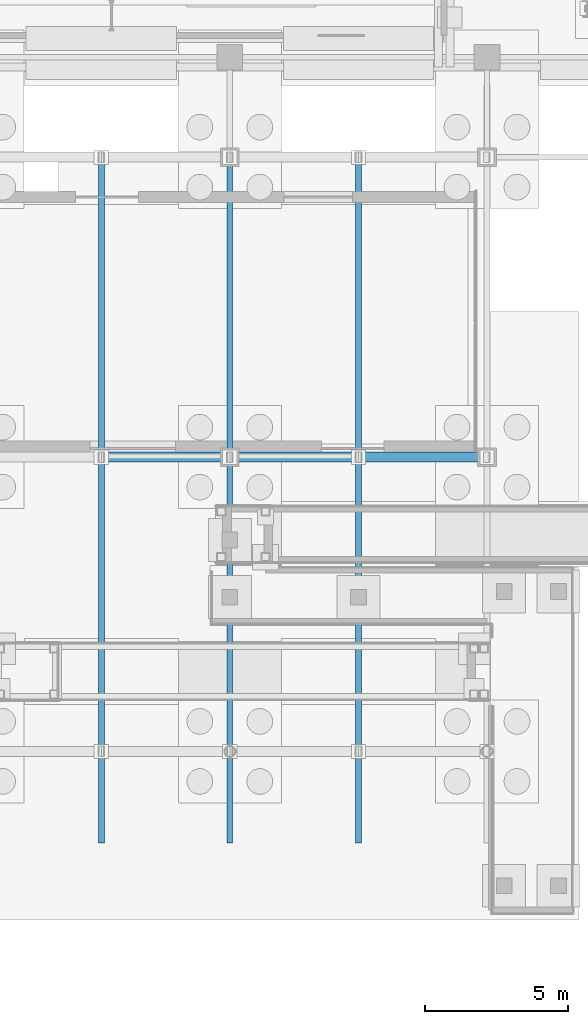
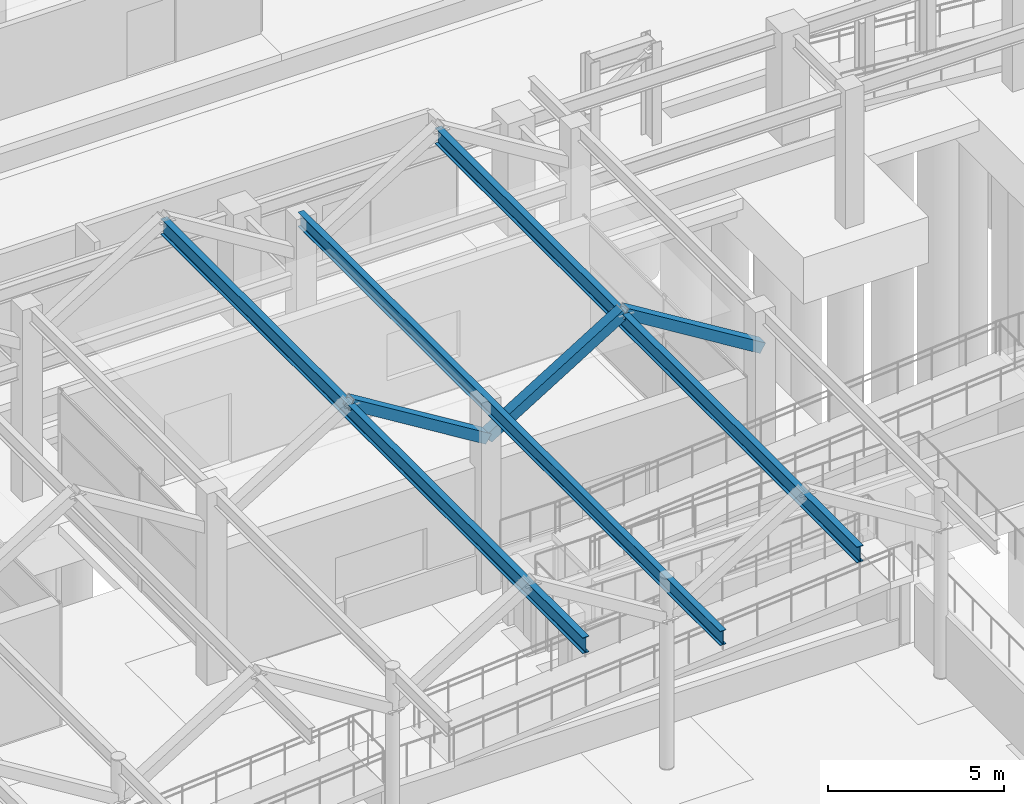
# One storey, part 53 of 160: 3 beams, 3 members.
"""IFC4 building model written with IfcOpenShell, lengths in metres."""

from ifc_helpers import new_model, si_unit, direction, frame, origin, origin_2d, place, context, subcontext, project, spatial, hollow_rectangle, i_section, extrude, material, material_profile, profile_set, type_object, element, save


model = new_model("IFC4")

# Units and contexts
model_context = context("Model", 3, precision=1e-05, world=origin(), true_north=direction((0.0, 1.0)))
body_context = subcontext(model_context, "Body", "Model", "MODEL_VIEW")
ifc_project = project(units=[si_unit("LENGTHUNIT", "METRE"), si_unit("AREAUNIT", "SQUARE_METRE"), si_unit("VOLUMEUNIT", "CUBIC_METRE"), si_unit("PLANEANGLEUNIT", "RADIAN"), si_unit("MASSUNIT", "GRAM", prefix="KILO")], contexts=[model_context])

# Site, building, storey
site_placement = place(None, origin())
site = spatial("IfcSite", under=ifc_project, at=site_placement, CompositionType="ELEMENT")
building_placement = place(site_placement, origin())
building = spatial("IfcBuilding", under=site, at=building_placement, Name="Marlcrest Central Station", CompositionType="ELEMENT")
storey_placement = place(building_placement, origin())
storey = spatial("IfcBuildingStorey", under=building, at=storey_placement, Name="L00", CompositionType="ELEMENT", Elevation=0.0)

# Beams
ifc_material = material(Name="Steel S355", Category="steel")
ifc_material_profile_1 = material_profile(ifc_material, i_section(OverallWidth=0.199951171875, OverallDepth=0.5, WebThickness=0.01025390625, FlangeThickness=0.01611328125, FilletRadius=0.02099609375, at=origin_2d()), Name="IPE 500")
ifc_profile_set_1 = profile_set([ifc_material_profile_1], Name="Steel S355")
beam_type_1 = type_object("IfcBeamType", Name="BM-05", PredefinedType="BEAM", material=ifc_profile_set_1)
beam_placement = place(storey_placement, frame((54.0, 9.0, 6.389892578125), z_axis=(0.0, 1.0, 0.0), x_axis=(-1.0, 0.0, 0.0)))
element("IfcBeam", 1, at=beam_placement, inside=storey, type_object=beam_type_1, Name="bm-BM-05-L00-01050", PredefinedType="BEAM", context=body_context, shape_type="SweptSolid", body=[
    extrude(i_section(OverallWidth=0.199951171875, OverallDepth=0.5, WebThickness=0.01025390625, FlangeThickness=0.01611328125, FilletRadius=0.02099609375, at=origin_2d()), origin(), (0.0, 0.0, 1.0), 24.0),
])
ifc_material_profile_2 = material_profile(ifc_material, i_section(OverallWidth=0.2099609375, OverallDepth=0.550048828125, WebThickness=0.010986328125, FlangeThickness=0.01708984375, FilletRadius=0.02392578125, at=origin_2d()), Name="IPE 550")
ifc_profile_set_2 = profile_set([ifc_material_profile_2], Name="Steel S355")
beam_type_2 = type_object("IfcBeamType", Name="BM-06", PredefinedType="BEAM", material=ifc_profile_set_2)
for number, where, z_axis, x_axis, name in (
    (2, (49.5, 9.0, 7.715087890625), (0.0, 1.0, 0.0), (-1.0, 0.0, 0.0), "bm-BM-06-L00-01049"),
    (3, (58.5, 9.0, 7.715087890625), (0.0, 1.0, 0.0), (-1.0, 0.0, 0.0), "bm-BM-06-L00-01051"),
):
    element("IfcBeam", number, at=place(storey_placement, frame(where, z_axis=z_axis, x_axis=x_axis)), inside=storey, type_object=beam_type_2, Name=name, PredefinedType="BEAM", context=body_context, shape_type="SweptSolid", body=[
        extrude(i_section(OverallWidth=0.2099609375, OverallDepth=0.550048828125, WebThickness=0.010986328125, FlangeThickness=0.01708984375, FilletRadius=0.02392578125, at=origin_2d()), origin(), (0.0, 0.0, 1.0), 24.0),
    ])

# Members
ifc_material_profile_3 = material_profile(ifc_material, hollow_rectangle(XDim=0.35009765625, YDim=0.35009765625, WallThickness=0.01611328125, at=origin_2d()), Name="SHS 350x350x16")
ifc_profile_set_3 = profile_set([ifc_material_profile_3], Name="Steel S355")
member_type = type_object("IfcMemberType", Name="ST-02", PredefinedType="STRUT", material=ifc_profile_set_3)
for number, where, z_axis, x_axis, name in (
    (4, (54.0, 22.5, 5.199951171875), (-0.851591684043, 0.0, 0.524205688322), (0.0, -1.0, 0.0), "mem-ST-02-L00-00052"),
    (5, (54.0, 22.5, 5.199951171875), (0.851591684043, 0.0, 0.524205688322), (0.0, 1.0, 0.0), "mem-ST-02-L00-00057"),
    (6, (63.0, 22.5, 5.199951171875), (-0.851591684043, 0.0, 0.524205688322), (0.0, -1.0, 0.0), "mem-ST-02-L00-00058"),
):
    element("IfcMember", number, at=place(storey_placement, frame(where, z_axis=z_axis, x_axis=x_axis)), inside=storey, type_object=member_type, Name=name, PredefinedType="STRUT", context=body_context, shape_type="SweptSolid", body=[
        extrude(hollow_rectangle(XDim=0.35009765625, YDim=0.35009765625, WallThickness=0.01611328125, at=origin_2d()), origin(), (0.0, 0.0, 1.0), 5.2841796875),
    ])

save(model, "model.ifc")
